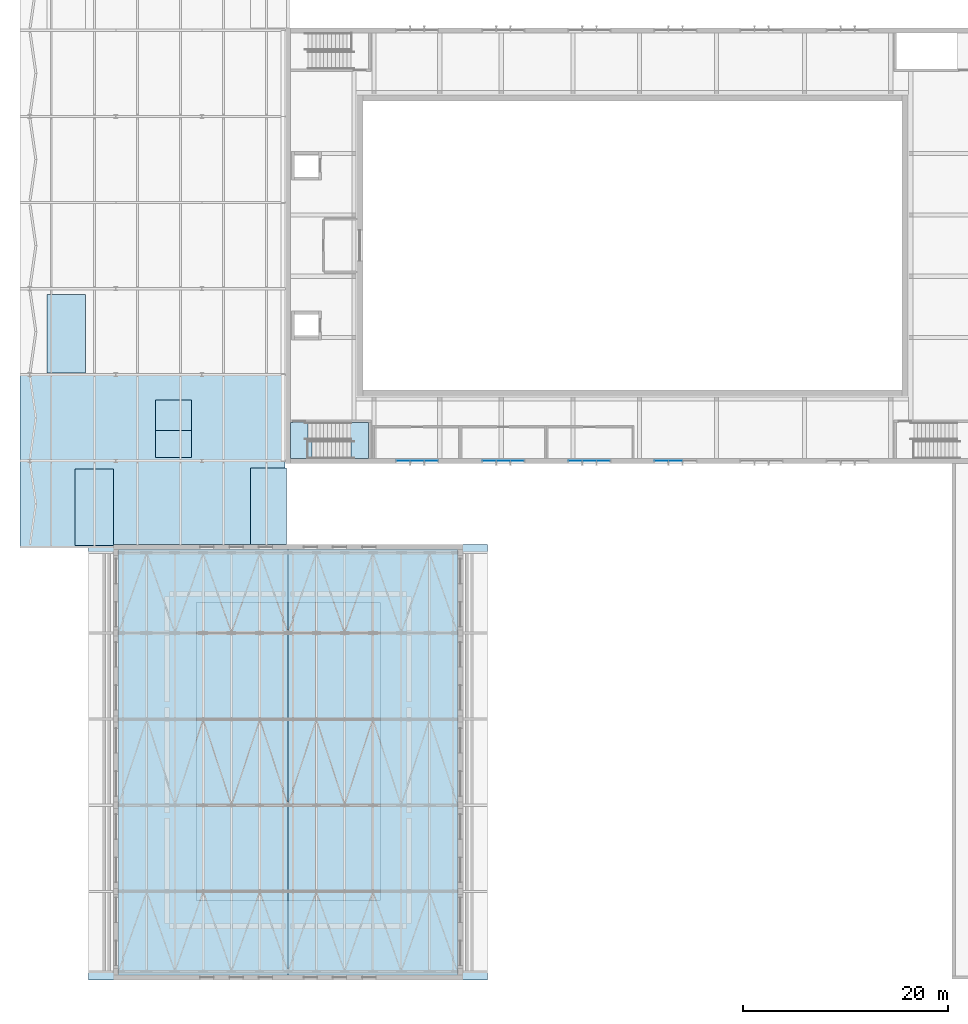
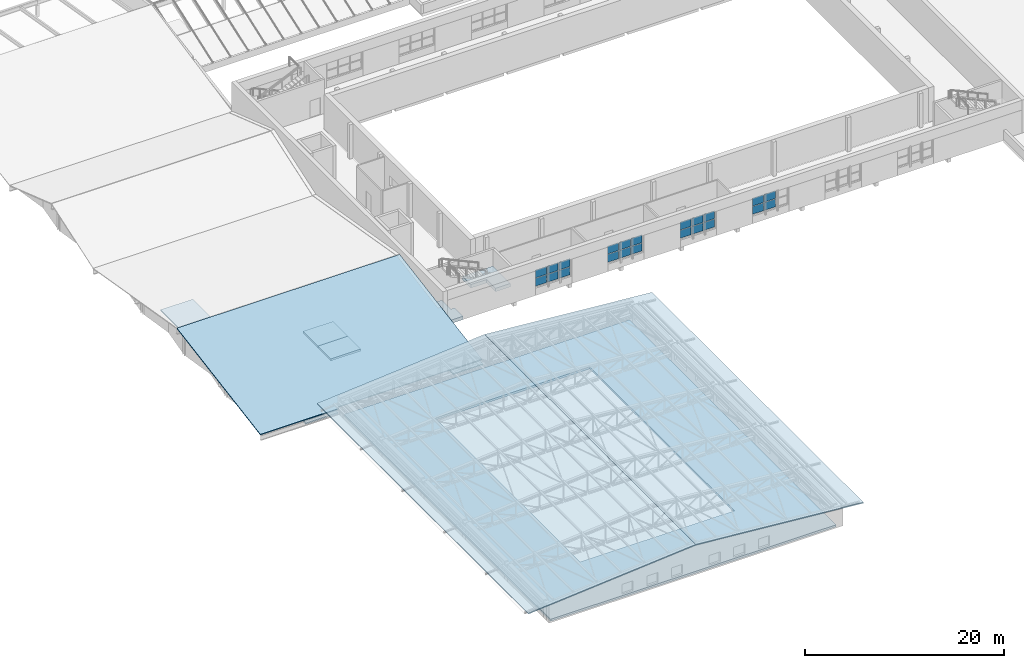
# One storey, part 30 of 60: 22 plates, 11 slabs, 5 elements without a shape of their own.
"""IFC4 building model written with IfcOpenShell, lengths in metres."""

import ifcopenshell
import ifcopenshell.guid

model = None  # the IFC model being written
_history = None  # IfcOwnerHistory: only IFC2X3 demands one
_inside = {}  # id of a spatial element -> (the spatial element, [elements in it])
_under = {}  # id of a project, library or spatial element -> (it, [spatial elements below it])
_declared = {}  # id of a project -> (the project, [libraries it declares])
_typed = {}  # id of a type object -> (the type object, [elements of that type])
_made_of = {}  # id of a material, layer set ... -> (it, [elements and type objects made of it])


def new_model(schema):
    """Start an empty IFC model of exactly this schema.

    Asked for "IFC4X3", IfcOpenShell would pick the latest addendum, in which some entities
    have other attributes; the version numbers below select the first issue.
    IFC2X3 requires an IfcOwnerHistory on every rooted entity: one is made here for all.
    """
    global model, _history
    if schema == "IFC4X3":
        model = ifcopenshell.file(schema_version=(4, 3, 0, 0))
    else:
        model = ifcopenshell.file(schema=schema)
    _inside.clear()
    _under.clear()
    _declared.clear()
    _typed.clear()
    _made_of.clear()
    _history = None
    if model.schema == "IFC2X3":
        org = make("IfcOrganization", Name="unknown")
        user = make(
            "IfcPersonAndOrganization",
            ThePerson=make("IfcPerson", FamilyName="unknown"),
            TheOrganization=org,
        )
        app = make(
            "IfcApplication",
            ApplicationDeveloper=org,
            Version="unknown",
            ApplicationFullName="unknown",
            ApplicationIdentifier="unknown",
        )
        _history = make(
            "IfcOwnerHistory",
            OwningUser=user,
            OwningApplication=app,
            ChangeAction="ADDED",
            CreationDate=0,
        )
    return model


def make(cls, **values):
    """One entity of the class cls with the attributes given. An attribute that is None is left unset."""
    return model.create_entity(
        cls, **{name: value for name, value in values.items() if value is not None}
    )


def rooted(cls, **values):
    """An entity with a GlobalId (a new one), such as an element, a storey or a relation."""
    return make(cls, GlobalId=ifcopenshell.guid.new(), OwnerHistory=_history, **values)


def si_unit(unit_type, name, prefix=None):
    """IfcSIUnit, for example si_unit("LENGTHUNIT", "METRE", prefix="MILLI")."""
    return make("IfcSIUnit", UnitType=unit_type, Prefix=prefix, Name=name)


def assignment(units):
    """IfcUnitAssignment: the units of a project."""
    return None if units is None else make("IfcUnitAssignment", Units=units)


def point(xyz):
    """IfcCartesianPoint."""
    return None if xyz is None else make("IfcCartesianPoint", Coordinates=xyz)


def direction(xyz):
    """IfcDirection."""
    return None if xyz is None else make("IfcDirection", DirectionRatios=xyz)


def frame(location, z_axis=None, x_axis=None):
    """IfcAxis2Placement3D, a coordinate frame: its origin and axes. An axis left out is left unset."""
    return make(
        "IfcAxis2Placement3D",
        Location=point(location),
        Axis=direction(z_axis),
        RefDirection=direction(x_axis),
    )


def frame_2d(location, x_axis=None):
    """IfcAxis2Placement2D, a coordinate frame in the plane: its origin and x axis."""
    return make(
        "IfcAxis2Placement2D", Location=point(location), RefDirection=direction(x_axis)
    )


def origin():
    """The frame at (0, 0, 0) with its axes left unset."""
    return frame((0.0, 0.0, 0.0))


def origin_2d():
    """The frame at (0, 0) in the plane with its x axis left unset."""
    return frame_2d((0.0, 0.0))


def place(relative_to, where):
    """IfcLocalPlacement: puts the frame where relative to a parent placement (None: the world)."""
    return make(
        "IfcLocalPlacement", PlacementRelTo=relative_to, RelativePlacement=where
    )


def context(
    kind, dimensions, precision=None, world=None, true_north=None, identifier=None
):
    """IfcGeometricRepresentationContext, for example the 3D "Model" context."""
    return make(
        "IfcGeometricRepresentationContext",
        ContextIdentifier=identifier,
        ContextType=kind,
        CoordinateSpaceDimension=dimensions,
        Precision=precision,
        WorldCoordinateSystem=world,
        TrueNorth=true_north,
    )


def subcontext(parent, identifier, kind, view, scale=None):
    """IfcGeometricRepresentationSubContext, for example "Body" below "Model"."""
    return make(
        "IfcGeometricRepresentationSubContext",
        ContextIdentifier=identifier,
        ContextType=kind,
        ParentContext=parent,
        TargetScale=scale,
        TargetView=view,
    )


def project(units=None, contexts=None):
    """IfcProject with its units and contexts."""
    return rooted(
        "IfcProject",
        Name="project",
        RepresentationContexts=contexts,
        UnitsInContext=assignment(units),
    )


def spatial(cls, under=None, at=None, **own):
    """A site, building, storey or space (cls), placed at a placement, below another one or the project."""
    s = rooted(cls, ObjectPlacement=at, **own)
    if under is not None:
        _under.setdefault(under.id(), (under, []))[1].append(s)
    return s


def polyline(points):
    """IfcPolyline through the points."""
    return make("IfcPolyline", Points=[point(p) for p in points])


def profile(cls, at=None, kind="AREA", **sizes):
    """A parametric profile (cls). Its sizes go by their IFC names, for example OverallWidth=200.0."""
    return make(cls, ProfileType=kind, Position=at, **sizes)


def rectangle(**sizes):
    """IfcRectangleProfileDef."""
    return profile("IfcRectangleProfileDef", **sizes)


def outline(outer, holes=None, kind="AREA"):
    """IfcArbitraryClosedProfileDef: a profile drawn as a closed curve; with holes, ...WithVoids."""
    if holes is None:
        return make("IfcArbitraryClosedProfileDef", ProfileType=kind, OuterCurve=outer)
    return make(
        "IfcArbitraryProfileDefWithVoids",
        ProfileType=kind,
        OuterCurve=outer,
        InnerCurves=holes,
    )


def extrude(swept, where, along, depth):
    """IfcExtrudedAreaSolid: the profile swept, set in the frame where, extruded along a direction by depth."""
    return make(
        "IfcExtrudedAreaSolid",
        SweptArea=swept,
        Position=where,
        ExtrudedDirection=direction(along),
        Depth=depth,
    )


def shape(context_of_items, identifier, shape_type, items):
    """IfcShapeRepresentation: the items that make up one representation, for example the "Body"."""
    return make(
        "IfcShapeRepresentation",
        ContextOfItems=context_of_items,
        RepresentationIdentifier=identifier,
        RepresentationType=shape_type,
        Items=items,
    )


def material(Name=None, Category=None):
    """IfcMaterial."""
    return make("IfcMaterial", Name=Name, Category=Category)


def layer(
    of_material, thickness, ventilated=None, Name=None, Category=None, Priority=None
):
    """IfcMaterialLayer: one layer of a wall or slab, of a material (None: an air gap)."""
    return make(
        "IfcMaterialLayer",
        Material=of_material,
        LayerThickness=thickness,
        IsVentilated=ventilated,
        Name=Name,
        Category=Category,
        Priority=Priority,
    )


def layer_set(layers, Name=None):
    """IfcMaterialLayerSet."""
    return make("IfcMaterialLayerSet", MaterialLayers=layers, LayerSetName=Name)


def made_of(thing, what):
    """Note that an element or type object is made of a material, layer set ...; save() writes the relation."""
    if what is not None:
        _made_of.setdefault(what.id(), (what, []))[1].append(thing)
    return thing


def type_object(cls, material=None, **own):
    """A type object (cls), such as IfcWallType, which elements share."""
    return made_of(rooted(cls, **own), material)


def element(
    cls,
    number,
    at=None,
    inside=None,
    cuts=None,
    type_object=None,
    material=None,
    context=None,
    identifier="Body",
    shape_type=None,
    held_by="IfcProductDefinitionShape",
    body=None,
    shapes=None,
    **own,
):
    """One element of the class cls, such as IfcWall. Its Tag is "e" and its number.

    at: its placement. inside: the storey or other place that contains it. cuts: it is an
    opening in that element (IfcRelVoidsElement). A single representation is given by context,
    identifier, shape_type and body (its items); several are given by shapes. held_by: the class
    of the entity that holds the representations. save() writes the other relations.
    """
    e = rooted(cls, Tag="e%d" % number, ObjectPlacement=at, **own)
    if body is not None:
        shapes = [shape(context, identifier, shape_type, body)]
    if shapes is not None:
        e.Representation = make(held_by, Representations=shapes)
    if inside is not None:
        _inside.setdefault(inside.id(), (inside, []))[1].append(e)
    if cuts is not None:
        rooted(
            "IfcRelVoidsElement", RelatingBuildingElement=cuts, RelatedOpeningElement=e
        )
    if type_object is not None:
        _typed.setdefault(type_object.id(), (type_object, []))[1].append(e)
    return made_of(e, material)


def aggregate(whole, parts):
    """IfcRelAggregates: a whole, such as a stair, and the parts it consists of."""
    return rooted("IfcRelAggregates", RelatingObject=whole, RelatedObjects=parts)


def save(model, path):
    """Write the relations noted so far, then the file.

    IfcRelAggregates (storeys below a building ...), IfcRelContainedInSpatialStructure (elements
    in a storey), IfcRelDefinesByType, IfcRelAssociatesMaterial and IfcRelDeclares: one each for
    every whole, place, type object, material and project.
    """
    for whole, parts in _under.values():
        aggregate(whole, parts)
    for where, things in _inside.values():
        rooted(
            "IfcRelContainedInSpatialStructure",
            RelatedElements=things,
            RelatingStructure=where,
        )
    for kind, things in _typed.values():
        rooted("IfcRelDefinesByType", RelatedObjects=things, RelatingType=kind)
    for what, things in _made_of.values():
        rooted("IfcRelAssociatesMaterial", RelatedObjects=things, RelatingMaterial=what)
    for by, libraries in _declared.values():
        rooted("IfcRelDeclares", RelatingContext=by, RelatedDefinitions=libraries)
    model.write(path)


model = new_model("IFC4")

# Units and contexts
model_context = context("Model", 3, precision=1e-05, world=origin(), true_north=direction((0.0, 1.0)))
body_context = subcontext(model_context, "Body", "Model", "MODEL_VIEW")
ifc_project = project(units=[si_unit("LENGTHUNIT", "METRE"), si_unit("AREAUNIT", "SQUARE_METRE"), si_unit("VOLUMEUNIT", "CUBIC_METRE"), si_unit("PLANEANGLEUNIT", "RADIAN"), si_unit("MASSUNIT", "GRAM", prefix="KILO")], contexts=[model_context])

# Site, building, storey
site_placement = place(None, origin())
site = spatial("IfcSite", under=ifc_project, at=site_placement, CompositionType="ELEMENT")
building_placement = place(site_placement, origin())
building = spatial("IfcBuilding", under=site, at=building_placement, Name="Ljudholm Concert House", CompositionType="ELEMENT")
storey_placement = place(building_placement, frame((0.0, 0.0, 15.0)))
storey = spatial("IfcBuildingStorey", under=building, at=storey_placement, Name="L03", CompositionType="ELEMENT", Elevation=15.0)

# Curtain wall, plates
ifc_material_1 = material(Name="Aluminium curtain wall with impact-rated laminated glass", Category="aluminium")
curtain_wall_type = type_object("IfcCurtainWallType", Name="CURTAIN WALL 1400", PredefinedType="NOTDEFINED", material=ifc_material_1)
curtain_wall_1_placement = place(storey_placement, origin())
curtain_wall_1 = element("IfcCurtainWall", 1, at=curtain_wall_1_placement, inside=storey, type_object=curtain_wall_type, Name="Promenade curtain wall", PredefinedType="NOTDEFINED")
ifc_material_2 = material(Name="Impact-rated laminated glass", Category="glass")
ifc_layer_1 = layer(ifc_material_2, 0.028076171875)
ifc_layer_set_1 = layer_set([ifc_layer_1], Name="Impact-rated laminated glass")
plate_type = type_object("IfcPlateType", Name="CURTAIN PANEL 28", PredefinedType="CURTAIN_PANEL", material=ifc_layer_set_1)
plate_1_placement = place(storey_placement, frame((40.43505859375, 54.39990234375, 0.9599609375), z_axis=(0.0, 0.0, 1.0), x_axis=(1.0, 0.0, 0.0)))
plate_1 = element("IfcPlate", 2, at=plate_1_placement, type_object=plate_type, Name="Curtain wall panel", PredefinedType="CURTAIN_PANEL", context=body_context, shape_type="SweptSolid", body=[
    extrude(rectangle(XDim=1.2900390625, YDim=0.028076171875, at=origin_2d()), origin(), (0.0, 0.0, 1.0), 0.9599609375),
])
plate_2_placement = place(storey_placement, frame((40.43505859375, 54.39990234375, 1.97998046875), z_axis=(0.0, 0.0, 1.0), x_axis=(1.0, 0.0, 0.0)))
plate_2 = element("IfcPlate", 3, at=plate_2_placement, type_object=plate_type, Name="Curtain wall panel", PredefinedType="CURTAIN_PANEL", context=body_context, shape_type="SweptSolid", body=[
    extrude(rectangle(XDim=1.2900390625, YDim=0.028076171875, at=origin_2d()), origin(), (0.0, 0.0, 1.0), 0.9599609375),
])
plate_3_placement = place(storey_placement, frame((41.800048828125, 54.39990234375, 0.9599609375), z_axis=(0.0, 0.0, 1.0), x_axis=(1.0, 0.0, 0.0)))
plate_3 = element("IfcPlate", 4, at=plate_3_placement, type_object=plate_type, Name="Curtain wall panel", PredefinedType="CURTAIN_PANEL", context=body_context, shape_type="SweptSolid", body=[
    extrude(rectangle(XDim=1.320068359375, YDim=0.028076171875, at=origin_2d()), origin(), (0.0, 0.0, 1.0), 0.9599609375),
])
plate_4_placement = place(storey_placement, frame((41.800048828125, 54.39990234375, 1.97998046875), z_axis=(0.0, 0.0, 1.0), x_axis=(1.0, 0.0, 0.0)))
plate_4 = element("IfcPlate", 5, at=plate_4_placement, type_object=plate_type, Name="Curtain wall panel", PredefinedType="CURTAIN_PANEL", context=body_context, shape_type="SweptSolid", body=[
    extrude(rectangle(XDim=1.320068359375, YDim=0.028076171875, at=origin_2d()), origin(), (0.0, 0.0, 1.0), 0.9599609375),
])
plate_5_placement = place(storey_placement, frame((43.1650390625, 54.39990234375, 0.9599609375), z_axis=(0.0, 0.0, 1.0), x_axis=(1.0, 0.0, 0.0)))
plate_5 = element("IfcPlate", 6, at=plate_5_placement, type_object=plate_type, Name="Curtain wall panel", PredefinedType="CURTAIN_PANEL", context=body_context, shape_type="SweptSolid", body=[
    extrude(rectangle(XDim=1.2900390625, YDim=0.028076171875, at=origin_2d()), origin(), (0.0, 0.0, 1.0), 0.9599609375),
])
plate_6_placement = place(storey_placement, frame((43.1650390625, 54.39990234375, 1.97998046875), z_axis=(0.0, 0.0, 1.0), x_axis=(1.0, 0.0, 0.0)))
plate_6 = element("IfcPlate", 7, at=plate_6_placement, type_object=plate_type, Name="Curtain wall panel", PredefinedType="CURTAIN_PANEL", context=body_context, shape_type="SweptSolid", body=[
    extrude(rectangle(XDim=1.2900390625, YDim=0.028076171875, at=origin_2d()), origin(), (0.0, 0.0, 1.0), 0.9599609375),
])
aggregate(curtain_wall_1, [plate_1, plate_2, plate_3, plate_4, plate_5, plate_6])

curtain_wall_2_placement = place(storey_placement, origin())
curtain_wall_2 = element("IfcCurtainWall", 8, at=curtain_wall_2_placement, inside=storey, type_object=curtain_wall_type, Name="Promenade curtain wall", PredefinedType="NOTDEFINED")
plate_7_placement = place(storey_placement, frame((48.8349609375, 54.39990234375, 0.9599609375), z_axis=(0.0, 0.0, 1.0), x_axis=(1.0, 0.0, 0.0)))
plate_7 = element("IfcPlate", 9, at=plate_7_placement, type_object=plate_type, Name="Curtain wall panel", PredefinedType="CURTAIN_PANEL", context=body_context, shape_type="SweptSolid", body=[
    extrude(rectangle(XDim=1.2900390625, YDim=0.028076171875, at=origin_2d()), origin(), (0.0, 0.0, 1.0), 0.9599609375),
])
plate_8_placement = place(storey_placement, frame((48.8349609375, 54.39990234375, 1.97998046875), z_axis=(0.0, 0.0, 1.0), x_axis=(1.0, 0.0, 0.0)))
plate_8 = element("IfcPlate", 10, at=plate_8_placement, type_object=plate_type, Name="Curtain wall panel", PredefinedType="CURTAIN_PANEL", context=body_context, shape_type="SweptSolid", body=[
    extrude(rectangle(XDim=1.2900390625, YDim=0.028076171875, at=origin_2d()), origin(), (0.0, 0.0, 1.0), 0.9599609375),
])
plate_9_placement = place(storey_placement, frame((50.199951171875, 54.39990234375, 0.9599609375), z_axis=(0.0, 0.0, 1.0), x_axis=(1.0, 0.0, 0.0)))
plate_9 = element("IfcPlate", 11, at=plate_9_placement, type_object=plate_type, Name="Curtain wall panel", PredefinedType="CURTAIN_PANEL", context=body_context, shape_type="SweptSolid", body=[
    extrude(rectangle(XDim=1.320068359375, YDim=0.028076171875, at=origin_2d()), origin(), (0.0, 0.0, 1.0), 0.9599609375),
])
plate_10_placement = place(storey_placement, frame((50.199951171875, 54.39990234375, 1.97998046875), z_axis=(0.0, 0.0, 1.0), x_axis=(1.0, 0.0, 0.0)))
plate_10 = element("IfcPlate", 12, at=plate_10_placement, type_object=plate_type, Name="Curtain wall panel", PredefinedType="CURTAIN_PANEL", context=body_context, shape_type="SweptSolid", body=[
    extrude(rectangle(XDim=1.320068359375, YDim=0.028076171875, at=origin_2d()), origin(), (0.0, 0.0, 1.0), 0.9599609375),
])
plate_11_placement = place(storey_placement, frame((51.56494140625, 54.39990234375, 0.9599609375), z_axis=(0.0, 0.0, 1.0), x_axis=(1.0, 0.0, 0.0)))
plate_11 = element("IfcPlate", 13, at=plate_11_placement, type_object=plate_type, Name="Curtain wall panel", PredefinedType="CURTAIN_PANEL", context=body_context, shape_type="SweptSolid", body=[
    extrude(rectangle(XDim=1.2900390625, YDim=0.028076171875, at=origin_2d()), origin(), (0.0, 0.0, 1.0), 0.9599609375),
])
plate_12_placement = place(storey_placement, frame((51.56494140625, 54.39990234375, 1.97998046875), z_axis=(0.0, 0.0, 1.0), x_axis=(1.0, 0.0, 0.0)))
plate_12 = element("IfcPlate", 14, at=plate_12_placement, type_object=plate_type, Name="Curtain wall panel", PredefinedType="CURTAIN_PANEL", context=body_context, shape_type="SweptSolid", body=[
    extrude(rectangle(XDim=1.2900390625, YDim=0.028076171875, at=origin_2d()), origin(), (0.0, 0.0, 1.0), 0.9599609375),
])
aggregate(curtain_wall_2, [plate_7, plate_8, plate_9, plate_10, plate_11, plate_12])

curtain_wall_3_placement = place(storey_placement, origin())
curtain_wall_3 = element("IfcCurtainWall", 15, at=curtain_wall_3_placement, inside=storey, type_object=curtain_wall_type, Name="Promenade curtain wall", PredefinedType="NOTDEFINED")
plate_13_placement = place(storey_placement, frame((57.235107421875, 54.39990234375, 0.9599609375), z_axis=(0.0, 0.0, 1.0), x_axis=(1.0, 0.0, 0.0)))
plate_13 = element("IfcPlate", 16, at=plate_13_placement, type_object=plate_type, Name="Curtain wall panel", PredefinedType="CURTAIN_PANEL", context=body_context, shape_type="SweptSolid", body=[
    extrude(rectangle(XDim=1.2900390625, YDim=0.028076171875, at=origin_2d()), origin(), (0.0, 0.0, 1.0), 0.9599609375),
])
plate_14_placement = place(storey_placement, frame((57.235107421875, 54.39990234375, 1.97998046875), z_axis=(0.0, 0.0, 1.0), x_axis=(1.0, 0.0, 0.0)))
plate_14 = element("IfcPlate", 17, at=plate_14_placement, type_object=plate_type, Name="Curtain wall panel", PredefinedType="CURTAIN_PANEL", context=body_context, shape_type="SweptSolid", body=[
    extrude(rectangle(XDim=1.2900390625, YDim=0.028076171875, at=origin_2d()), origin(), (0.0, 0.0, 1.0), 0.9599609375),
])
plate_15_placement = place(storey_placement, frame((58.60009765625, 54.39990234375, 0.9599609375), z_axis=(0.0, 0.0, 1.0), x_axis=(1.0, 0.0, 0.0)))
plate_15 = element("IfcPlate", 18, at=plate_15_placement, type_object=plate_type, Name="Curtain wall panel", PredefinedType="CURTAIN_PANEL", context=body_context, shape_type="SweptSolid", body=[
    extrude(rectangle(XDim=1.320068359375, YDim=0.028076171875, at=origin_2d()), origin(), (0.0, 0.0, 1.0), 0.9599609375),
])
plate_16_placement = place(storey_placement, frame((58.60009765625, 54.39990234375, 1.97998046875), z_axis=(0.0, 0.0, 1.0), x_axis=(1.0, 0.0, 0.0)))
plate_16 = element("IfcPlate", 19, at=plate_16_placement, type_object=plate_type, Name="Curtain wall panel", PredefinedType="CURTAIN_PANEL", context=body_context, shape_type="SweptSolid", body=[
    extrude(rectangle(XDim=1.320068359375, YDim=0.028076171875, at=origin_2d()), origin(), (0.0, 0.0, 1.0), 0.9599609375),
])
plate_17_placement = place(storey_placement, frame((59.965087890625, 54.39990234375, 0.9599609375), z_axis=(0.0, 0.0, 1.0), x_axis=(1.0, 0.0, 0.0)))
plate_17 = element("IfcPlate", 20, at=plate_17_placement, type_object=plate_type, Name="Curtain wall panel", PredefinedType="CURTAIN_PANEL", context=body_context, shape_type="SweptSolid", body=[
    extrude(rectangle(XDim=1.2900390625, YDim=0.028076171875, at=origin_2d()), origin(), (0.0, 0.0, 1.0), 0.9599609375),
])
plate_18_placement = place(storey_placement, frame((59.965087890625, 54.39990234375, 1.97998046875), z_axis=(0.0, 0.0, 1.0), x_axis=(1.0, 0.0, 0.0)))
plate_18 = element("IfcPlate", 21, at=plate_18_placement, type_object=plate_type, Name="Curtain wall panel", PredefinedType="CURTAIN_PANEL", context=body_context, shape_type="SweptSolid", body=[
    extrude(rectangle(XDim=1.2900390625, YDim=0.028076171875, at=origin_2d()), origin(), (0.0, 0.0, 1.0), 0.9599609375),
])
aggregate(curtain_wall_3, [plate_13, plate_14, plate_15, plate_16, plate_17, plate_18])

curtain_wall_4_placement = place(storey_placement, origin())
curtain_wall_4 = element("IfcCurtainWall", 22, at=curtain_wall_4_placement, inside=storey, type_object=curtain_wall_type, Name="Promenade curtain wall", PredefinedType="NOTDEFINED")
plate_19_placement = place(storey_placement, frame((65.635009765625, 54.39990234375, 0.9599609375), z_axis=(0.0, 0.0, 1.0), x_axis=(1.0, 0.0, 0.0)))
plate_19 = element("IfcPlate", 23, at=plate_19_placement, type_object=plate_type, Name="Curtain wall panel", PredefinedType="CURTAIN_PANEL", context=body_context, shape_type="SweptSolid", body=[
    extrude(rectangle(XDim=1.2900390625, YDim=0.028076171875, at=origin_2d()), origin(), (0.0, 0.0, 1.0), 0.9599609375),
])
plate_20_placement = place(storey_placement, frame((65.635009765625, 54.39990234375, 1.97998046875), z_axis=(0.0, 0.0, 1.0), x_axis=(1.0, 0.0, 0.0)))
plate_20 = element("IfcPlate", 24, at=plate_20_placement, type_object=plate_type, Name="Curtain wall panel", PredefinedType="CURTAIN_PANEL", context=body_context, shape_type="SweptSolid", body=[
    extrude(rectangle(XDim=1.2900390625, YDim=0.028076171875, at=origin_2d()), origin(), (0.0, 0.0, 1.0), 0.9599609375),
])
plate_21_placement = place(storey_placement, frame((67.0, 54.39990234375, 0.9599609375), z_axis=(0.0, 0.0, 1.0), x_axis=(1.0, 0.0, 0.0)))
plate_21 = element("IfcPlate", 25, at=plate_21_placement, type_object=plate_type, Name="Curtain wall panel", PredefinedType="CURTAIN_PANEL", context=body_context, shape_type="SweptSolid", body=[
    extrude(rectangle(XDim=1.320068359375, YDim=0.028076171875, at=origin_2d()), origin(), (0.0, 0.0, 1.0), 0.9599609375),
])
plate_22_placement = place(storey_placement, frame((67.0, 54.39990234375, 1.97998046875), z_axis=(0.0, 0.0, 1.0), x_axis=(1.0, 0.0, 0.0)))
plate_22 = element("IfcPlate", 26, at=plate_22_placement, type_object=plate_type, Name="Curtain wall panel", PredefinedType="CURTAIN_PANEL", context=body_context, shape_type="SweptSolid", body=[
    extrude(rectangle(XDim=1.320068359375, YDim=0.028076171875, at=origin_2d()), origin(), (0.0, 0.0, 1.0), 0.9599609375),
])
aggregate(curtain_wall_4, [plate_19, plate_20, plate_21, plate_22])

# Slab
ifc_material_3 = material(Name="Concrete 5,000 psi", Category="concrete")
ifc_layer_2 = layer(ifc_material_3, 0.39990234375)
ifc_layer_set_2 = layer_set([ifc_layer_2], Name="Concrete 5,000 psi")
slab_type_1 = type_object("IfcSlabType", Name="RC FLOOR SLAB 400", PredefinedType="FLOOR", material=ifc_layer_set_2)
slab_1_placement = place(storey_placement, frame((0.0, 0.0, -0.39990234375)))
element("IfcSlab", 27, at=slab_1_placement, inside=storey, type_object=slab_type_1, Name="Stair arrival floor EH1", PredefinedType="FLOOR", context=body_context, shape_type="SweptSolid", body=[
    extrude(outline(polyline([(29.449951171875, 54.64990234375), (29.449951171875, 58.14990234375), (31.150390625, 58.14990234375), (31.150390625, 56.35009765625), (31.550048828125, 56.35009765625), (31.550048828125, 54.64990234375), (31.150390625, 54.64990234375), (31.14990234375, 54.64990234375), (29.449951171875, 54.64990234375)])), origin(), (0.0, 0.0, 1.0), 0.39990234375),
])

# Stair, slab
ifc_material_4 = material(Name="Concrete 5,000 psi", Category="concrete")
stair_type = type_object("IfcStairType", Name="RC STAIR 1700x175x382", PredefinedType="HALF_TURN_STAIR", material=ifc_material_4)
stair_placement = place(storey_placement, origin())
stair = element("IfcStair", 28, at=stair_placement, inside=storey, type_object=stair_type, Name="Exit stair EH1", PredefinedType="HALF_TURN_STAIR")
ifc_material_5 = material(Name="Concrete 5,000 psi", Category="concrete")
ifc_layer_3 = layer(ifc_material_5, 0.409912109375)
ifc_layer_set_3 = layer_set([ifc_layer_3], Name="Concrete 5,000 psi")
slab_type_2 = type_object("IfcSlabType", Name="RC LANDING 410", PredefinedType="LANDING", material=ifc_layer_set_3)
slab_2_placement = place(storey_placement, frame((0.0, 0.0, 1.68994140625)))
slab_2 = element("IfcSlab", 29, at=slab_2_placement, type_object=slab_type_2, Name="Stair landing", PredefinedType="LANDING", context=body_context, shape_type="SweptSolid", body=[
    extrude(outline(polyline([(33.52001953125, 58.14990234375), (33.52001953125, 56.449951171875), (35.349609375, 56.449951171875), (35.349609375, 54.64990234375), (37.050048828125, 54.64990234375), (37.050048828125, 58.14990234375), (33.52001953125, 58.14990234375)])), origin(), (0.0, 0.0, 1.0), 0.41015625),
])
aggregate(stair, [slab_2])

# Slabs
ifc_material_6 = material(Name="Concrete 5,000 psi", Category="concrete")
ifc_layer_4 = layer(ifc_material_6, 0.14990234375)
ifc_layer_set_4 = layer_set([ifc_layer_4], Name="Concrete 5,000 psi")
slab_type_3 = type_object("IfcSlabType", Name="RC ROOF SLAB 150", PredefinedType="ROOF", material=ifc_layer_set_4)
slab_3_placement = place(storey_placement, origin())
element("IfcSlab", 30, at=slab_3_placement, inside=storey, type_object=slab_type_3, Name="Stair shaft cap", PredefinedType="ROOF", context=body_context, shape_type="SweptSolid", body=[
    extrude(outline(polyline([(8.39990234375, 46.14990234375), (12.14990234375, 46.14990234375), (12.14990234375, 53.60009765625), (8.39990234375, 53.60009765625), (8.39990234375, 46.14990234375)])), origin(), (0.0, 0.0, 1.0), 0.14990234375),
])
slab_4_placement = place(storey_placement, origin())
element("IfcSlab", 31, at=slab_4_placement, inside=storey, type_object=slab_type_3, Name="Stair shaft cap", PredefinedType="ROOF", context=body_context, shape_type="SweptSolid", body=[
    extrude(outline(polyline([(25.550048828125, 46.25), (29.050048828125, 46.25), (29.050048828125, 53.699951171875), (25.550048828125, 53.699951171875), (25.550048828125, 46.25)])), origin(), (0.0, 0.0, 1.0), 0.14990234375),
])
slab_5_placement = place(storey_placement, origin())
element("IfcSlab", 32, at=slab_5_placement, inside=storey, type_object=slab_type_3, Name="Stair shaft cap", PredefinedType="ROOF", context=body_context, shape_type="SweptSolid", body=[
    extrude(outline(polyline([(5.699951171875, 62.949951171875), (9.449951171875, 62.949951171875), (9.449951171875, 70.64990234375), (5.699951171875, 70.64990234375), (5.699951171875, 62.949951171875)])), origin(), (0.0, 0.0, 1.0), 0.14990234375),
])
ifc_material_7 = material(Name="Concrete 5,000 psi", Category="concrete")
ifc_layer_5 = layer(ifc_material_7, 0.25)
ifc_layer_set_5 = layer_set([ifc_layer_5], Name="Concrete 5,000 psi")
slab_type_4 = type_object("IfcSlabType", Name="RC ROOF SLAB 250", PredefinedType="ROOF", material=ifc_layer_set_5)
slab_6_placement = place(storey_placement, frame((0.0, 0.0, -0.25)))
element("IfcSlab", 33, at=slab_6_placement, inside=storey, type_object=slab_type_4, Name="Ring roof slab", PredefinedType="ROOF", context=body_context, shape_type="SweptSolid", body=[
    extrude(outline(polyline([(12.64990234375, 4.25), (12.64990234375, 45.75), (45.75, 45.75), (45.75, 4.25), (12.64990234375, 4.25)]), holes=[polyline([(38.14990234375, 40.60009765625), (20.25, 40.60009765625), (20.25, 11.5), (38.14990234375, 11.5), (38.14990234375, 40.60009765625)])]), origin(), (0.0, 0.0, 1.0), 0.25),
])
slab_7_placement = place(storey_placement, frame((0.0, 0.0, -0.199951171875)))
element("IfcSlab", 34, at=slab_7_placement, inside=storey, type_object=slab_type_4, Name="Lift overrun roof slab", PredefinedType="ROOF", context=body_context, shape_type="SweptSolid", body=[
    extrude(outline(polyline([(16.27490234375, 54.75), (19.77490234375, 54.75), (19.77490234375, 57.35009765625), (16.27490234375, 57.35009765625), (16.27490234375, 54.75)])), origin(), (0.0, 0.0, 1.0), 0.25),
])
slab_8_placement = place(storey_placement, frame((0.0, 0.0, -0.199951171875)))
element("IfcSlab", 35, at=slab_8_placement, inside=storey, type_object=slab_type_4, Name="Lift overrun roof slab", PredefinedType="ROOF", context=body_context, shape_type="SweptSolid", body=[
    extrude(outline(polyline([(16.27490234375, 57.35009765625), (19.77490234375, 57.35009765625), (19.77490234375, 60.35009765625), (16.27490234375, 60.35009765625), (16.27490234375, 57.35009765625)])), origin(), (0.0, 0.0, 1.0), 0.25),
])
ifc_material_8 = material(Name="Steel ASTM A653 Gr. 50", Category="steel")
ifc_layer_6 = layer(ifc_material_8, 0.10009765625)
ifc_layer_set_6 = layer_set([ifc_layer_6], Name="Steel ASTM A653 Gr. 50")
slab_type_5 = type_object("IfcSlabType", Name="STEEL ROOF DECK 100", PredefinedType="ROOF", material=ifc_layer_set_6)
slab_9_placement = place(storey_placement, frame((3.050048828125, 46.0, 0.73193359375), z_axis=(-2.787096e-06, -0.168282569382, 0.985738797468), x_axis=(0.999999999996, -4.6902e-07, 2.747349e-06)))
element("IfcSlab", 36, at=slab_9_placement, inside=storey, type_object=slab_type_5, Name="Roof deck", PredefinedType="ROOF", context=body_context, shape_type="SweptSolid", body=[
    extrude(outline(polyline([(0.0, 0.0), (9.12499999996456, -4.830734777309682e-22), (9.125000000366159, 0.22837886162886809), (25.8498535159262, 0.22837886162886809), (25.849853515784435, 17.025782809791853), (2.5983412227472194e-10, 17.025782809791853), (0.0, 0.0)])), origin(), (0.0, 0.0, -1.0), 0.10009765625),
])
ifc_material_9 = material(Name="Steel ASTM A653 Gr. 50", Category="steel")
ifc_layer_7 = layer(ifc_material_9, 0.1201171875)
ifc_layer_set_7 = layer_set([ifc_layer_7], Name="Steel ASTM A653 Gr. 50")
slab_type_6 = type_object("IfcSlabType", Name="STEEL ROOF DECK 120", PredefinedType="ROOF", material=ifc_layer_set_7)
for number, where, z_axis, x_axis, name in (
    (37, (9.75, 3.75, 2.056884765625), (-0.084301001141, 0.0, 0.996440334996), (0.996440334996, 0.0, 0.084301001141), "Roof deck west plane"),
    (38, (29.199951171875, 3.75, 3.702392578125), (0.084301001141, 0.0, 0.996440334996), (0.996440334996, 0.0, -0.084301001141), "Roof deck east plane"),
):
    element("IfcSlab", number, at=place(storey_placement, frame(where, z_axis=z_axis, x_axis=x_axis)), inside=storey, type_object=slab_type_6, Name=name, PredefinedType="ROOF", context=body_context, shape_type="SweptSolid", body=[
        extrude(outline(polyline([(0.0, 0.0), (19.519433817334974, 0.0), (19.519433817334974, 42.5), (0.0, 42.5), (0.0, 0.0)])), origin(), (0.0, 0.0, -1.0), 0.1201171875),
    ])

save(model, "model.ifc")
